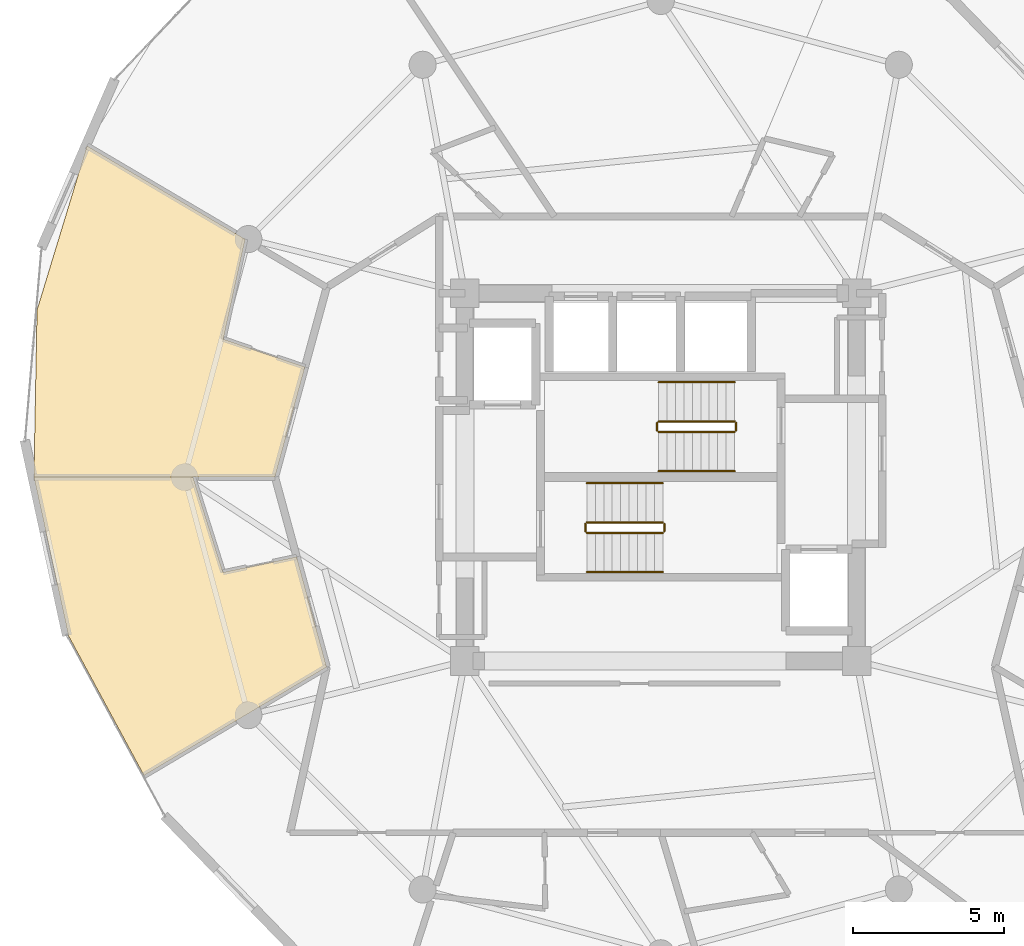
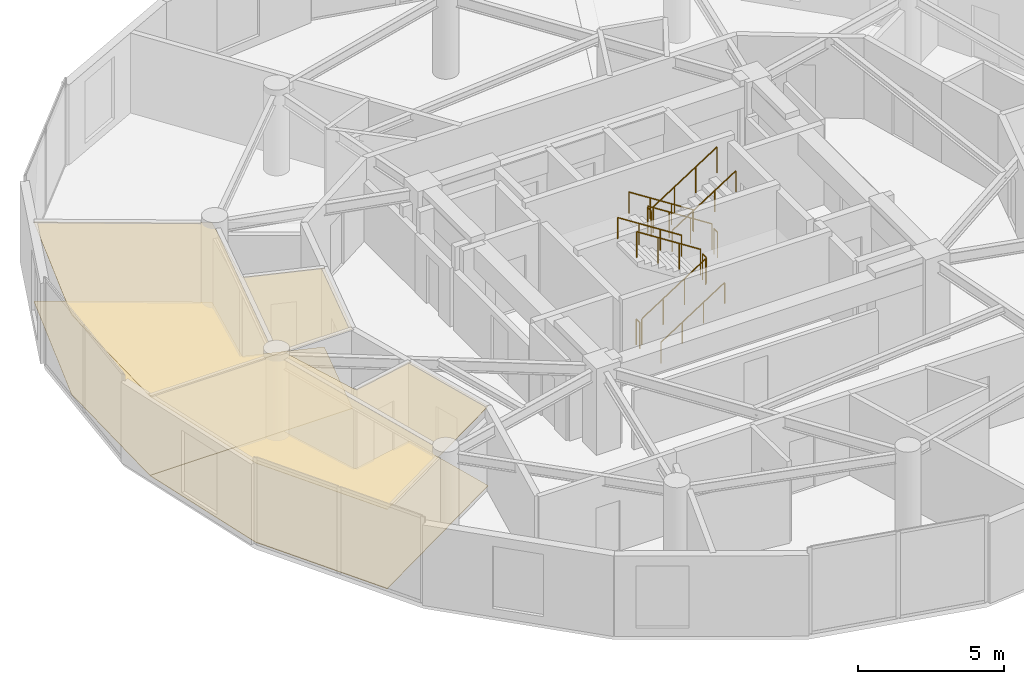
# One storey, part 22 of 23: 12 railings, 4 coverings.
"""IFC4 building model written with IfcOpenShell, lengths in metres."""

import ifcopenshell
import ifcopenshell.guid

model = None  # the IFC model being written
_history = None  # IfcOwnerHistory: only IFC2X3 demands one
_inside = {}  # id of a spatial element -> (the spatial element, [elements in it])
_under = {}  # id of a project, library or spatial element -> (it, [spatial elements below it])
_declared = {}  # id of a project -> (the project, [libraries it declares])
_typed = {}  # id of a type object -> (the type object, [elements of that type])
_made_of = {}  # id of a material, layer set ... -> (it, [elements and type objects made of it])


def new_model(schema):
    """Start an empty IFC model of exactly this schema.

    Asked for "IFC4X3", IfcOpenShell would pick the latest addendum, in which some entities
    have other attributes; the version numbers below select the first issue.
    IFC2X3 requires an IfcOwnerHistory on every rooted entity: one is made here for all.
    """
    global model, _history
    if schema == "IFC4X3":
        model = ifcopenshell.file(schema_version=(4, 3, 0, 0))
    else:
        model = ifcopenshell.file(schema=schema)
    _inside.clear()
    _under.clear()
    _declared.clear()
    _typed.clear()
    _made_of.clear()
    _history = None
    if model.schema == "IFC2X3":
        org = make("IfcOrganization", Name="unknown")
        user = make(
            "IfcPersonAndOrganization",
            ThePerson=make("IfcPerson", FamilyName="unknown"),
            TheOrganization=org,
        )
        app = make(
            "IfcApplication",
            ApplicationDeveloper=org,
            Version="unknown",
            ApplicationFullName="unknown",
            ApplicationIdentifier="unknown",
        )
        _history = make(
            "IfcOwnerHistory",
            OwningUser=user,
            OwningApplication=app,
            ChangeAction="ADDED",
            CreationDate=0,
        )
    return model


def make(cls, **values):
    """One entity of the class cls with the attributes given. An attribute that is None is left unset."""
    return model.create_entity(
        cls, **{name: value for name, value in values.items() if value is not None}
    )


def rooted(cls, **values):
    """An entity with a GlobalId (a new one), such as an element, a storey or a relation."""
    return make(cls, GlobalId=ifcopenshell.guid.new(), OwnerHistory=_history, **values)


def si_unit(unit_type, name, prefix=None):
    """IfcSIUnit, for example si_unit("LENGTHUNIT", "METRE", prefix="MILLI")."""
    return make("IfcSIUnit", UnitType=unit_type, Prefix=prefix, Name=name)


def assignment(units):
    """IfcUnitAssignment: the units of a project."""
    return None if units is None else make("IfcUnitAssignment", Units=units)


def point(xyz):
    """IfcCartesianPoint."""
    return None if xyz is None else make("IfcCartesianPoint", Coordinates=xyz)


def direction(xyz):
    """IfcDirection."""
    return None if xyz is None else make("IfcDirection", DirectionRatios=xyz)


def frame(location, z_axis=None, x_axis=None):
    """IfcAxis2Placement3D, a coordinate frame: its origin and axes. An axis left out is left unset."""
    return make(
        "IfcAxis2Placement3D",
        Location=point(location),
        Axis=direction(z_axis),
        RefDirection=direction(x_axis),
    )


def frame_2d(location, x_axis=None):
    """IfcAxis2Placement2D, a coordinate frame in the plane: its origin and x axis."""
    return make(
        "IfcAxis2Placement2D", Location=point(location), RefDirection=direction(x_axis)
    )


def origin():
    """The frame at (0, 0, 0) with its axes left unset."""
    return frame((0.0, 0.0, 0.0))


def origin_2d():
    """The frame at (0, 0) in the plane with its x axis left unset."""
    return frame_2d((0.0, 0.0))


def place(relative_to, where):
    """IfcLocalPlacement: puts the frame where relative to a parent placement (None: the world)."""
    return make(
        "IfcLocalPlacement", PlacementRelTo=relative_to, RelativePlacement=where
    )


def context(
    kind, dimensions, precision=None, world=None, true_north=None, identifier=None
):
    """IfcGeometricRepresentationContext, for example the 3D "Model" context."""
    return make(
        "IfcGeometricRepresentationContext",
        ContextIdentifier=identifier,
        ContextType=kind,
        CoordinateSpaceDimension=dimensions,
        Precision=precision,
        WorldCoordinateSystem=world,
        TrueNorth=true_north,
    )


def subcontext(parent, identifier, kind, view, scale=None):
    """IfcGeometricRepresentationSubContext, for example "Body" below "Model"."""
    return make(
        "IfcGeometricRepresentationSubContext",
        ContextIdentifier=identifier,
        ContextType=kind,
        ParentContext=parent,
        TargetScale=scale,
        TargetView=view,
    )


def project(units=None, contexts=None):
    """IfcProject with its units and contexts."""
    return rooted(
        "IfcProject",
        Name="project",
        RepresentationContexts=contexts,
        UnitsInContext=assignment(units),
    )


def spatial(cls, under=None, at=None, **own):
    """A site, building, storey or space (cls), placed at a placement, below another one or the project."""
    s = rooted(cls, ObjectPlacement=at, **own)
    if under is not None:
        _under.setdefault(under.id(), (under, []))[1].append(s)
    return s


def polyline(points):
    """IfcPolyline through the points."""
    return make("IfcPolyline", Points=[point(p) for p in points])


def profile(cls, at=None, kind="AREA", **sizes):
    """A parametric profile (cls). Its sizes go by their IFC names, for example OverallWidth=200.0."""
    return make(cls, ProfileType=kind, Position=at, **sizes)


def circle(**sizes):
    """IfcCircleProfileDef."""
    return profile("IfcCircleProfileDef", **sizes)


def outline(outer, holes=None, kind="AREA"):
    """IfcArbitraryClosedProfileDef: a profile drawn as a closed curve; with holes, ...WithVoids."""
    if holes is None:
        return make("IfcArbitraryClosedProfileDef", ProfileType=kind, OuterCurve=outer)
    return make(
        "IfcArbitraryProfileDefWithVoids",
        ProfileType=kind,
        OuterCurve=outer,
        InnerCurves=holes,
    )


def extrude(swept, where, along, depth):
    """IfcExtrudedAreaSolid: the profile swept, set in the frame where, extruded along a direction by depth."""
    return make(
        "IfcExtrudedAreaSolid",
        SweptArea=swept,
        Position=where,
        ExtrudedDirection=direction(along),
        Depth=depth,
    )


def shape(context_of_items, identifier, shape_type, items):
    """IfcShapeRepresentation: the items that make up one representation, for example the "Body"."""
    return make(
        "IfcShapeRepresentation",
        ContextOfItems=context_of_items,
        RepresentationIdentifier=identifier,
        RepresentationType=shape_type,
        Items=items,
    )


def material(Name=None, Category=None):
    """IfcMaterial."""
    return make("IfcMaterial", Name=Name, Category=Category)


def layer(
    of_material, thickness, ventilated=None, Name=None, Category=None, Priority=None
):
    """IfcMaterialLayer: one layer of a wall or slab, of a material (None: an air gap)."""
    return make(
        "IfcMaterialLayer",
        Material=of_material,
        LayerThickness=thickness,
        IsVentilated=ventilated,
        Name=Name,
        Category=Category,
        Priority=Priority,
    )


def layer_set(layers, Name=None):
    """IfcMaterialLayerSet."""
    return make("IfcMaterialLayerSet", MaterialLayers=layers, LayerSetName=Name)


def made_of(thing, what):
    """Note that an element or type object is made of a material, layer set ...; save() writes the relation."""
    if what is not None:
        _made_of.setdefault(what.id(), (what, []))[1].append(thing)
    return thing


def type_object(cls, material=None, **own):
    """A type object (cls), such as IfcWallType, which elements share."""
    return made_of(rooted(cls, **own), material)


def element(
    cls,
    number,
    at=None,
    inside=None,
    cuts=None,
    type_object=None,
    material=None,
    context=None,
    identifier="Body",
    shape_type=None,
    held_by="IfcProductDefinitionShape",
    body=None,
    shapes=None,
    **own,
):
    """One element of the class cls, such as IfcWall. Its Tag is "e" and its number.

    at: its placement. inside: the storey or other place that contains it. cuts: it is an
    opening in that element (IfcRelVoidsElement). A single representation is given by context,
    identifier, shape_type and body (its items); several are given by shapes. held_by: the class
    of the entity that holds the representations. save() writes the other relations.
    """
    e = rooted(cls, Tag="e%d" % number, ObjectPlacement=at, **own)
    if body is not None:
        shapes = [shape(context, identifier, shape_type, body)]
    if shapes is not None:
        e.Representation = make(held_by, Representations=shapes)
    if inside is not None:
        _inside.setdefault(inside.id(), (inside, []))[1].append(e)
    if cuts is not None:
        rooted(
            "IfcRelVoidsElement", RelatingBuildingElement=cuts, RelatedOpeningElement=e
        )
    if type_object is not None:
        _typed.setdefault(type_object.id(), (type_object, []))[1].append(e)
    return made_of(e, material)


def aggregate(whole, parts):
    """IfcRelAggregates: a whole, such as a stair, and the parts it consists of."""
    return rooted("IfcRelAggregates", RelatingObject=whole, RelatedObjects=parts)


def save(model, path):
    """Write the relations noted so far, then the file.

    IfcRelAggregates (storeys below a building ...), IfcRelContainedInSpatialStructure (elements
    in a storey), IfcRelDefinesByType, IfcRelAssociatesMaterial and IfcRelDeclares: one each for
    every whole, place, type object, material and project.
    """
    for whole, parts in _under.values():
        aggregate(whole, parts)
    for where, things in _inside.values():
        rooted(
            "IfcRelContainedInSpatialStructure",
            RelatedElements=things,
            RelatingStructure=where,
        )
    for kind, things in _typed.values():
        rooted("IfcRelDefinesByType", RelatedObjects=things, RelatingType=kind)
    for what, things in _made_of.values():
        rooted("IfcRelAssociatesMaterial", RelatedObjects=things, RelatingMaterial=what)
    for by, libraries in _declared.values():
        rooted("IfcRelDeclares", RelatingContext=by, RelatedDefinitions=libraries)
    model.write(path)


model = new_model("IFC4")

# Units and contexts
model_context = context("Model", 3, precision=1e-05, world=origin(), true_north=direction((0.0, 1.0)))
body_context = subcontext(model_context, "Body", "Model", "MODEL_VIEW")
ifc_project = project(units=[si_unit("LENGTHUNIT", "METRE"), si_unit("AREAUNIT", "SQUARE_METRE"), si_unit("VOLUMEUNIT", "CUBIC_METRE"), si_unit("PLANEANGLEUNIT", "RADIAN"), si_unit("MASSUNIT", "GRAM", prefix="KILO")], contexts=[model_context])

# Site, building, storey
site_placement = place(None, origin())
site = spatial("IfcSite", under=ifc_project, at=site_placement, CompositionType="ELEMENT")
building_placement = place(site_placement, origin())
building = spatial("IfcBuilding", under=site, at=building_placement, Name="Solvirekh Grand Hotel", CompositionType="ELEMENT")
storey_placement = place(building_placement, frame((0.0, 0.0, 176.800048828125)))
storey = spatial("IfcBuildingStorey", under=building, at=storey_placement, Name="L45", CompositionType="ELEMENT", Elevation=176.800048828125)

# Coverings
ifc_material_1 = material(Name="Acoustic Mineral Ceiling Tile")
ifc_layer_1 = layer(ifc_material_1, 0.02490234375)
ifc_layer_set_1 = layer_set([ifc_layer_1], Name="Acoustic Mineral Ceiling Tile")
covering_type_1 = type_object("IfcCoveringType", Name="Cov_Ceiling_Acoustic", PredefinedType="CEILING", material=ifc_layer_set_1)
covering_1_placement = place(storey_placement, frame((0.0, 0.0, 3.31005859375)))
element("IfcCovering", 1, at=covering_1_placement, inside=storey, type_object=covering_type_1, Name="L45 Deluxe Guestroom 4703 acoustic ceiling", PredefinedType="CEILING", context=body_context, shape_type="SweptSolid", body=[
    extrude(outline(polyline([(-14.514892578125, 4.5791015625), (-13.7890625, 7.89501953125), (-19.037109375, 10.990966796875), (-20.696044921875, 5.544921875), (-20.799072265625, 0.0), (-12.800048828125, 0.0), (-11.804931640625, 3.654052734375), (-14.514892578125, 4.5791015625)])), origin(), (0.0, 0.0, 1.0), 0.017822265625),
])
covering_2_placement = place(storey_placement, frame((0.0, 0.0, 3.31005859375)))
element("IfcCovering", 2, at=covering_2_placement, inside=storey, type_object=covering_type_1, Name="L45 Deluxe Guestroom 4704 acoustic ceiling", PredefinedType="CEILING", context=body_context, shape_type="SweptSolid", body=[
    extrude(outline(polyline([(-14.52294921875, -3.159912109375), (-15.52001953125, 0.0), (-20.799072265625, 0.0), (-19.652099609375, -5.26611328125), (-17.14794921875, -9.89990234375), (-11.0849609375, -6.300048828125), (-12.080078125, -2.64599609375), (-14.52294921875, -3.159912109375)])), origin(), (0.0, 0.0, 1.0), 0.017822265625),
])
ifc_material_2 = material(Name="Porcelain Stoneware Flooring", Category="masonry")
ifc_layer_2 = layer(ifc_material_2, 0.030029296875)
ifc_layer_set_2 = layer_set([ifc_layer_2], Name="Porcelain Stoneware Flooring")
covering_type_2 = type_object("IfcCoveringType", Name="Cov_Floor_Stone", PredefinedType="FLOORING", material=ifc_layer_set_2)
covering_3_placement = place(storey_placement, origin())
element("IfcCovering", 3, at=covering_3_placement, inside=storey, type_object=covering_type_2, Name="L45 Deluxe Guestroom 4703 polished granite flooring", PredefinedType="FLOORING", context=body_context, shape_type="SweptSolid", body=[
    extrude(outline(polyline([(-14.514892578125, 4.5791015625), (-13.7890625, 7.89501953125), (-19.037109375, 10.990966796875), (-20.696044921875, 5.544921875), (-20.799072265625, 0.0), (-12.800048828125, 0.0), (-11.804931640625, 3.654052734375), (-14.514892578125, 4.5791015625)])), origin(), (0.0, 0.0, 1.0), 0.02001953125),
])
covering_4_placement = place(storey_placement, origin())
element("IfcCovering", 4, at=covering_4_placement, inside=storey, type_object=covering_type_2, Name="L45 Deluxe Guestroom 4704 polished granite flooring", PredefinedType="FLOORING", context=body_context, shape_type="SweptSolid", body=[
    extrude(outline(polyline([(-14.52294921875, -3.159912109375), (-15.52001953125, 0.0), (-20.799072265625, 0.0), (-19.652099609375, -5.26611328125), (-17.14794921875, -9.89990234375), (-11.0849609375, -6.300048828125), (-12.080078125, -2.64599609375), (-14.52294921875, -3.159912109375)])), origin(), (0.0, 0.0, 1.0), 0.02001953125),
])

# Railings
ifc_material_3 = material(Name="Steel S355", Category="steel")
railing_type_1 = type_object("IfcRailingType", Name="Guard_Stair_1100", PredefinedType="GUARDRAIL", material=ifc_material_3)
railing_1_placement = place(storey_placement, frame((-2.449951171875, -1.85009765625, 0.179931640625)))
element("IfcRailing", 5, at=railing_1_placement, inside=storey, type_object=railing_type_1, Name="L45 ST-1 stair guard 1", PredefinedType="GUARDRAIL", context=body_context, shape_type="SweptSolid", body=[
    extrude(circle(Radius=0.02392578125, at=origin_2d()), frame((0.0, 0.0, 1.076171875), z_axis=(0.841162588446, 0.0, 0.540782303519), x_axis=(0.0, 1.0, 0.0)), (0.0, 0.0, 1.0), 2.995849609375),
    extrude(circle(Radius=0.02099609375, at=origin_2d()), origin(), (0.0, 0.0, 1.0), 1.052001953125),
    extrude(circle(Radius=0.02099609375, at=origin_2d()), frame((0.840087890625, 0.0, 0.5400390625)), (0.0, 0.0, 1.0), 1.052001953125),
    extrude(circle(Radius=0.02099609375, at=origin_2d()), frame((1.679931640625, 0.0, 1.080078125)), (0.0, 0.0, 1.0), 1.052001953125),
    extrude(circle(Radius=0.02099609375, at=origin_2d()), frame((2.52001953125, 0.0, 1.6201171875)), (0.0, 0.0, 1.0), 1.052001953125),
])
railing_2_placement = place(storey_placement, frame((0.1201171875, -1.800048828125, 1.800048828125)))
element("IfcRailing", 6, at=railing_2_placement, inside=storey, type_object=railing_type_1, Name="L45 ST-1 stair guard 2", PredefinedType="GUARDRAIL", context=body_context, shape_type="SweptSolid", body=[
    extrude(circle(Radius=0.02392578125, at=origin_2d()), frame((0.0, 0.0, 1.076171875), z_axis=(0.0, 1.0, 0.0), x_axis=(-1.0, 0.0, 0.0)), (0.0, 0.0, 1.0), 0.25),
    extrude(circle(Radius=0.02099609375, at=origin_2d()), origin(), (0.0, 0.0, 1.0), 1.052001953125),
    extrude(circle(Radius=0.02099609375, at=origin_2d()), frame((0.0, 0.25, 0.0)), (0.0, 0.0, 1.0), 1.052001953125),
])
railing_3_placement = place(storey_placement, frame((0.070068359375, -1.5, 1.97998046875)))
element("IfcRailing", 7, at=railing_3_placement, inside=storey, type_object=railing_type_1, Name="L45 ST-1 stair guard 3", PredefinedType="GUARDRAIL", context=body_context, shape_type="SweptSolid", body=[
    extrude(circle(Radius=0.02392578125, at=origin_2d()), frame((0.0, 0.0, 1.076171875), z_axis=(-0.841199657755, 0.0, 0.540724639528), x_axis=(0.0, -1.0, 0.0)), (0.0, 0.0, 1.0), 2.995849609375),
    extrude(circle(Radius=0.02099609375, at=origin_2d()), origin(), (0.0, 0.0, 1.0), 1.052001953125),
    extrude(circle(Radius=0.02099609375, at=origin_2d()), frame((-0.840087890625, 0.0, 0.5400390625)), (0.0, 0.0, 1.0), 1.052001953125),
    extrude(circle(Radius=0.02099609375, at=origin_2d()), frame((-1.679931640625, 0.0, 1.079833984375)), (0.0, 0.0, 1.0), 1.052001953125),
    extrude(circle(Radius=0.02099609375, at=origin_2d()), frame((-2.52001953125, 0.0, 1.619873046875)), (0.0, 0.0, 1.0), 1.052001953125),
])
railing_4_placement = place(storey_placement, frame((-2.5, -1.800048828125, 0.0)))
element("IfcRailing", 8, at=railing_4_placement, inside=storey, type_object=railing_type_1, Name="L45 ST-1 stair guard 4", PredefinedType="GUARDRAIL", context=body_context, shape_type="SweptSolid", body=[
    extrude(circle(Radius=0.02392578125, at=origin_2d()), frame((0.0, 0.0, 1.076171875), z_axis=(0.0, 1.0, 0.0), x_axis=(-1.0, 0.0, 0.0)), (0.0, 0.0, 1.0), 0.25),
    extrude(circle(Radius=0.02099609375, at=origin_2d()), origin(), (0.0, 0.0, 1.0), 1.052001953125),
    extrude(circle(Radius=0.02099609375, at=origin_2d()), frame((0.0, 0.25, 0.0)), (0.0, 0.0, 1.0), 1.052001953125),
])
railing_5_placement = place(storey_placement, frame((2.449951171875, 1.85009765625, 0.179931640625)))
element("IfcRailing", 9, at=railing_5_placement, inside=storey, type_object=railing_type_1, Name="L45 ST-2 stair guard 1", PredefinedType="GUARDRAIL", context=body_context, shape_type="SweptSolid", body=[
    extrude(circle(Radius=0.02392578125, at=origin_2d()), frame((0.0, 0.0, 1.076171875), z_axis=(-0.841162588446, 0.0, 0.540782303519), x_axis=(0.0, -1.0, 0.0)), (0.0, 0.0, 1.0), 2.995849609375),
    extrude(circle(Radius=0.02099609375, at=origin_2d()), origin(), (0.0, 0.0, 1.0), 1.052001953125),
    extrude(circle(Radius=0.02099609375, at=origin_2d()), frame((-0.840087890625, 0.0, 0.5400390625)), (0.0, 0.0, 1.0), 1.052001953125),
    extrude(circle(Radius=0.02099609375, at=origin_2d()), frame((-1.679931640625, 0.0, 1.080078125)), (0.0, 0.0, 1.0), 1.052001953125),
    extrude(circle(Radius=0.02099609375, at=origin_2d()), frame((-2.52001953125, 0.0, 1.6201171875)), (0.0, 0.0, 1.0), 1.052001953125),
])
railing_6_placement = place(storey_placement, frame((-0.1201171875, 1.800048828125, 1.800048828125)))
element("IfcRailing", 10, at=railing_6_placement, inside=storey, type_object=railing_type_1, Name="L45 ST-2 stair guard 2", PredefinedType="GUARDRAIL", context=body_context, shape_type="SweptSolid", body=[
    extrude(circle(Radius=0.02392578125, at=origin_2d()), frame((0.0, 0.0, 1.076171875), z_axis=(0.0, -1.0, 0.0), x_axis=(1.0, 0.0, 0.0)), (0.0, 0.0, 1.0), 0.25),
    extrude(circle(Radius=0.02099609375, at=origin_2d()), origin(), (0.0, 0.0, 1.0), 1.052001953125),
    extrude(circle(Radius=0.02099609375, at=origin_2d()), frame((0.0, -0.25, 0.0)), (0.0, 0.0, 1.0), 1.052001953125),
])
railing_7_placement = place(storey_placement, frame((-0.070068359375, 1.5, 1.97998046875)))
element("IfcRailing", 11, at=railing_7_placement, inside=storey, type_object=railing_type_1, Name="L45 ST-2 stair guard 3", PredefinedType="GUARDRAIL", context=body_context, shape_type="SweptSolid", body=[
    extrude(circle(Radius=0.02392578125, at=origin_2d()), frame((0.0, 0.0, 1.076171875), z_axis=(0.841199657755, 0.0, 0.540724639528), x_axis=(0.0, 1.0, 0.0)), (0.0, 0.0, 1.0), 2.995849609375),
    extrude(circle(Radius=0.02099609375, at=origin_2d()), origin(), (0.0, 0.0, 1.0), 1.052001953125),
    extrude(circle(Radius=0.02099609375, at=origin_2d()), frame((0.840087890625, 0.0, 0.5400390625)), (0.0, 0.0, 1.0), 1.052001953125),
    extrude(circle(Radius=0.02099609375, at=origin_2d()), frame((1.679931640625, 0.0, 1.079833984375)), (0.0, 0.0, 1.0), 1.052001953125),
    extrude(circle(Radius=0.02099609375, at=origin_2d()), frame((2.52001953125, 0.0, 1.619873046875)), (0.0, 0.0, 1.0), 1.052001953125),
])
railing_8_placement = place(storey_placement, frame((2.5, 1.800048828125, 0.0)))
element("IfcRailing", 12, at=railing_8_placement, inside=storey, type_object=railing_type_1, Name="L45 ST-2 stair guard 4", PredefinedType="GUARDRAIL", context=body_context, shape_type="SweptSolid", body=[
    extrude(circle(Radius=0.02392578125, at=origin_2d()), frame((0.0, 0.0, 1.076171875), z_axis=(0.0, -1.0, 0.0), x_axis=(1.0, 0.0, 0.0)), (0.0, 0.0, 1.0), 0.25),
    extrude(circle(Radius=0.02099609375, at=origin_2d()), origin(), (0.0, 0.0, 1.0), 1.052001953125),
    extrude(circle(Radius=0.02099609375, at=origin_2d()), frame((0.0, -0.25, 0.0)), (0.0, 0.0, 1.0), 1.052001953125),
])
ifc_material_4 = material(Name="Anodized Bronze Aluminium 6063-T6", Category="aluminium")
railing_type_2 = type_object("IfcRailingType", Name="Handrail_Wall_900", PredefinedType="HANDRAIL", material=ifc_material_4)
railing_9_placement = place(storey_placement, frame((-2.449951171875, -3.14990234375, 0.179931640625)))
element("IfcRailing", 13, at=railing_9_placement, inside=storey, type_object=railing_type_2, Name="L45 ST-1 stair handrail 1", PredefinedType="HANDRAIL", context=body_context, shape_type="SweptSolid", body=[
    extrude(circle(Radius=0.02392578125, at=origin_2d()), frame((0.0, 0.0, 0.8759765625), z_axis=(0.841162588446, 0.0, 0.540782303519), x_axis=(0.0, 1.0, 0.0)), (0.0, 0.0, 1.0), 2.995849609375),
    extrude(circle(Radius=0.02099609375, at=origin_2d()), origin(), (0.0, 0.0, 1.0), 0.851806640625),
    extrude(circle(Radius=0.02099609375, at=origin_2d()), frame((0.840087890625, 0.0, 0.5400390625)), (0.0, 0.0, 1.0), 0.851806640625),
    extrude(circle(Radius=0.02099609375, at=origin_2d()), frame((1.679931640625, 0.0, 1.080078125)), (0.0, 0.0, 1.0), 0.851806640625),
    extrude(circle(Radius=0.02099609375, at=origin_2d()), frame((2.52001953125, 0.0, 1.6201171875)), (0.0, 0.0, 1.0), 0.851806640625),
])
railing_10_placement = place(storey_placement, frame((0.070068359375, -0.199951171875, 1.97998046875)))
element("IfcRailing", 14, at=railing_10_placement, inside=storey, type_object=railing_type_2, Name="L45 ST-1 stair handrail 2", PredefinedType="HANDRAIL", context=body_context, shape_type="SweptSolid", body=[
    extrude(circle(Radius=0.02392578125, at=origin_2d()), frame((0.0, 0.0, 0.8759765625), z_axis=(-0.841199657755, 0.0, 0.540724639528), x_axis=(0.0, -1.0, 0.0)), (0.0, 0.0, 1.0), 2.995849609375),
    extrude(circle(Radius=0.02099609375, at=origin_2d()), origin(), (0.0, 0.0, 1.0), 0.851806640625),
    extrude(circle(Radius=0.02099609375, at=origin_2d()), frame((-0.840087890625, 0.0, 0.5400390625)), (0.0, 0.0, 1.0), 0.851806640625),
    extrude(circle(Radius=0.02099609375, at=origin_2d()), frame((-1.679931640625, 0.0, 1.079833984375)), (0.0, 0.0, 1.0), 0.851806640625),
    extrude(circle(Radius=0.02099609375, at=origin_2d()), frame((-2.52001953125, 0.0, 1.619873046875)), (0.0, 0.0, 1.0), 0.851806640625),
])
railing_11_placement = place(storey_placement, frame((2.449951171875, 3.14990234375, 0.179931640625)))
element("IfcRailing", 15, at=railing_11_placement, inside=storey, type_object=railing_type_2, Name="L45 ST-2 stair handrail 1", PredefinedType="HANDRAIL", context=body_context, shape_type="SweptSolid", body=[
    extrude(circle(Radius=0.02392578125, at=origin_2d()), frame((0.0, 0.0, 0.8759765625), z_axis=(-0.841162588446, 0.0, 0.540782303519), x_axis=(0.0, -1.0, 0.0)), (0.0, 0.0, 1.0), 2.995849609375),
    extrude(circle(Radius=0.02099609375, at=origin_2d()), origin(), (0.0, 0.0, 1.0), 0.851806640625),
    extrude(circle(Radius=0.02099609375, at=origin_2d()), frame((-0.840087890625, 0.0, 0.5400390625)), (0.0, 0.0, 1.0), 0.851806640625),
    extrude(circle(Radius=0.02099609375, at=origin_2d()), frame((-1.679931640625, 0.0, 1.080078125)), (0.0, 0.0, 1.0), 0.851806640625),
    extrude(circle(Radius=0.02099609375, at=origin_2d()), frame((-2.52001953125, 0.0, 1.6201171875)), (0.0, 0.0, 1.0), 0.851806640625),
])
railing_12_placement = place(storey_placement, frame((-0.070068359375, 0.199951171875, 1.97998046875)))
element("IfcRailing", 16, at=railing_12_placement, inside=storey, type_object=railing_type_2, Name="L45 ST-2 stair handrail 2", PredefinedType="HANDRAIL", context=body_context, shape_type="SweptSolid", body=[
    extrude(circle(Radius=0.02392578125, at=origin_2d()), frame((0.0, 0.0, 0.8759765625), z_axis=(0.841199657755, 0.0, 0.540724639528), x_axis=(0.0, 1.0, 0.0)), (0.0, 0.0, 1.0), 2.995849609375),
    extrude(circle(Radius=0.02099609375, at=origin_2d()), origin(), (0.0, 0.0, 1.0), 0.851806640625),
    extrude(circle(Radius=0.02099609375, at=origin_2d()), frame((0.840087890625, 0.0, 0.5400390625)), (0.0, 0.0, 1.0), 0.851806640625),
    extrude(circle(Radius=0.02099609375, at=origin_2d()), frame((1.679931640625, 0.0, 1.079833984375)), (0.0, 0.0, 1.0), 0.851806640625),
    extrude(circle(Radius=0.02099609375, at=origin_2d()), frame((2.52001953125, 0.0, 1.619873046875)), (0.0, 0.0, 1.0), 0.851806640625),
])

save(model, "model.ifc")
